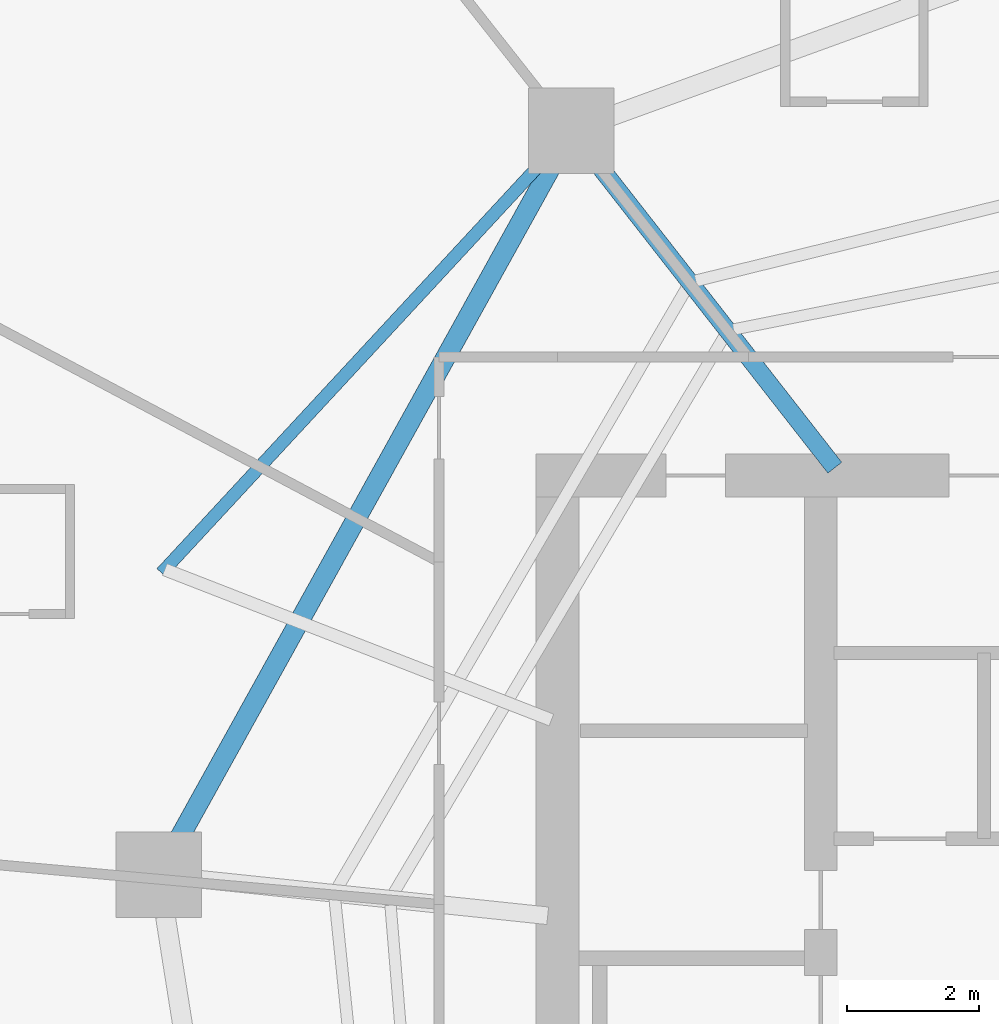
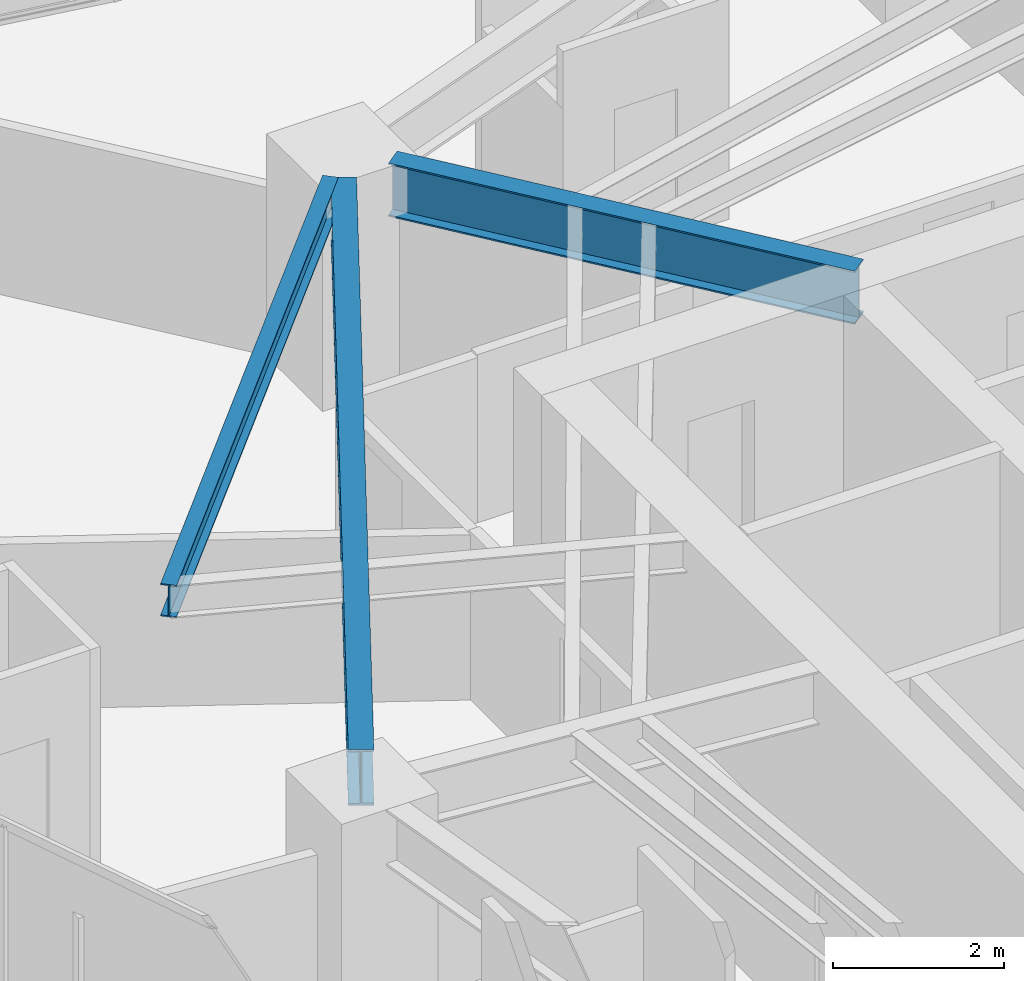
# One storey, part 18 of 33: 3 beams.
"""IFC4 building model written with IfcOpenShell, lengths in metres."""

from ifc_helpers import new_model, si_unit, direction, frame, origin, origin_2d, place, context, subcontext, project, spatial, i_section, extrude, material, material_profile, profile_set, type_object, element, save


model = new_model("IFC4")

# Units and contexts
model_context = context("Model", 3, precision=1e-05, world=origin(), true_north=direction((0.0, 1.0)))
body_context = subcontext(model_context, "Body", "Model", "MODEL_VIEW")
ifc_project = project(units=[si_unit("LENGTHUNIT", "METRE"), si_unit("AREAUNIT", "SQUARE_METRE"), si_unit("VOLUMEUNIT", "CUBIC_METRE"), si_unit("PLANEANGLEUNIT", "RADIAN"), si_unit("MASSUNIT", "GRAM", prefix="KILO")], contexts=[model_context])

# Site, building, storey
site_placement = place(None, origin())
site = spatial("IfcSite", under=ifc_project, at=site_placement, CompositionType="ELEMENT")
building_placement = place(site_placement, origin())
building = spatial("IfcBuilding", under=site, at=building_placement, Name="Qarnah Convention Tower", CompositionType="ELEMENT")
storey_placement = place(building_placement, frame((0.0, 0.0, 30.449951171875)))
storey = spatial("IfcBuildingStorey", under=building, at=storey_placement, Name="L06", CompositionType="ELEMENT", Elevation=30.449951171875)

# Beams
ifc_material = material(Name="Structural steel S355JR", Category="steel")
ifc_material_profile_1 = material_profile(ifc_material, i_section(OverallWidth=0.19189453125, OverallDepth=0.464111328125, WebThickness=0.010986328125, FlangeThickness=0.01806640625, at=origin_2d()), Name="W460X89")
ifc_profile_set_1 = profile_set([ifc_material_profile_1], Name="Structural steel S355JR")
beam_type_1 = type_object("IfcBeamType", Name="BM-CANT-W460A", PredefinedType="BEAM", material=ifc_profile_set_1)
beam_1_placement = place(storey_placement, frame((20.782958984375, 32.719970703125, 2.93798828125), z_axis=(0.679611332191, 0.733572380313, 0.0), x_axis=(-0.733572380313, 0.679611332191, 0.0)))
element("IfcBeam", 1, at=beam_1_placement, inside=storey, type_object=beam_type_1, Name="L06 spandrel BM-L06-CTIE-02", PredefinedType="SPANDREL", context=body_context, shape_type="SweptSolid", body=[
    extrude(i_section(OverallWidth=0.19189453125, OverallDepth=0.464111328125, WebThickness=0.010986328125, FlangeThickness=0.01806640625, at=origin_2d()), origin(), (0.0, 0.0, 1.0), 8.52392578125),
])
ifc_material_profile_2 = material_profile(ifc_material, i_section(OverallWidth=0.26806640625, OverallDepth=0.760009765625, WebThickness=0.014892578125, FlangeThickness=0.02197265625, at=origin_2d()), Name="W760X185")
ifc_profile_set_2 = profile_set([ifc_material_profile_2], Name="Structural steel S355JR")
beam_type_2 = type_object("IfcBeamType", Name="BM-RAD-W760", PredefinedType="BEAM", material=ifc_profile_set_2)
beam_2_placement = place(storey_placement, frame((31.013916015625, 34.318115234375, 2.7900390625), z_axis=(-0.61558272574, 0.78807227319, 0.0), x_axis=(-0.78807227319, -0.61558272574, 0.0)))
element("IfcBeam", 2, at=beam_2_placement, inside=storey, type_object=beam_type_2, Name="L06 beam BM-L06-RAD-04", PredefinedType="BEAM", context=body_context, shape_type="SweptSolid", body=[
    extrude(i_section(OverallWidth=0.26806640625, OverallDepth=0.760009765625, WebThickness=0.014892578125, FlangeThickness=0.02197265625, at=origin_2d()), origin(), (0.0, 0.0, 1.0), 5.87255859375),
])
ifc_material_profile_3 = material_profile(ifc_material, i_section(OverallWidth=0.300048828125, OverallDepth=0.800048828125, WebThickness=0.01806640625, FlangeThickness=0.032958984375, at=origin_2d()), Name="HEB800")
ifc_profile_set_3 = profile_set([ifc_material_profile_3], Name="Structural steel S355JR")
beam_type_3 = type_object("IfcBeamType", Name="BM-RING-HEB800", PredefinedType="BEAM", material=ifc_profile_set_3)
beam_3_placement = place(storey_placement, frame((26.700927734375, 38.882080078125, 2.77001953125), z_axis=(-0.484829813426, -0.874608513572, 0.0), x_axis=(0.874608513572, -0.484829813426, 0.0)))
element("IfcBeam", 3, at=beam_3_placement, inside=storey, type_object=beam_type_3, Name="L06 beam BM-L06-SPN-04", PredefinedType="BEAM", context=body_context, shape_type="SweptSolid", body=[
    extrude(i_section(OverallWidth=0.300048828125, OverallDepth=0.800048828125, WebThickness=0.01806640625, FlangeThickness=0.032958984375, at=origin_2d()), origin(), (0.0, 0.0, 1.0), 11.6533203125),
])

save(model, "model.ifc")
